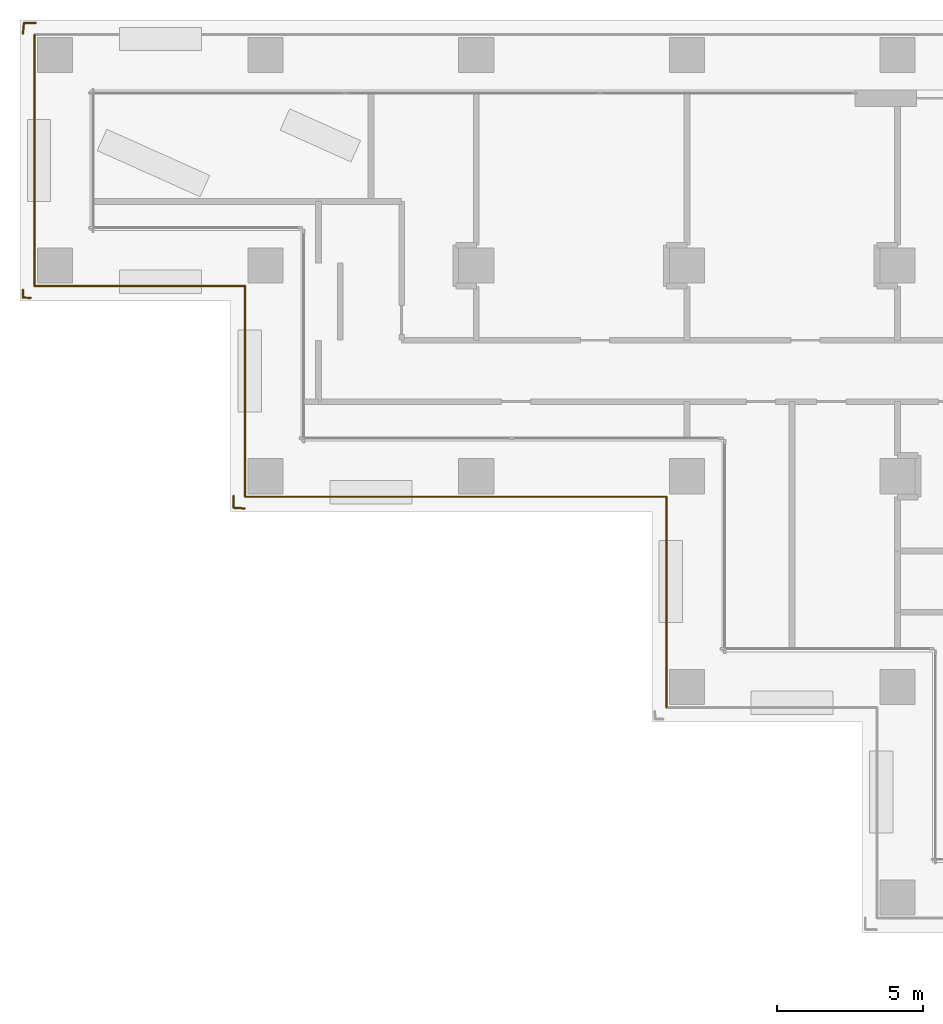
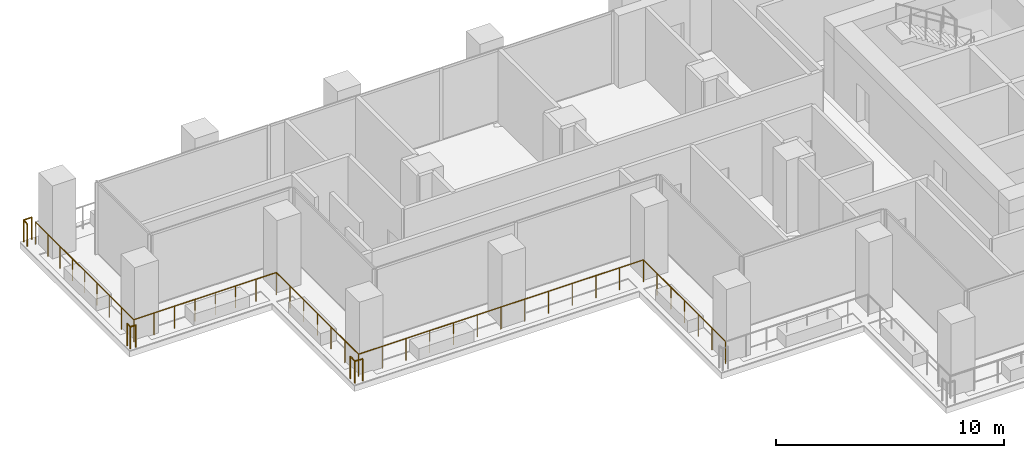
# One storey, part 18 of 24: 11 railings.
"""IFC4 building model written with IfcOpenShell, lengths in metres."""

from ifc_helpers import new_model, si_unit, direction, frame, origin, origin_2d, place, context, subcontext, project, spatial, circle, extrude, material, type_object, element, save


model = new_model("IFC4")

# Units and contexts
model_context = context("Model", 3, precision=1e-05, world=origin(), true_north=direction((0.0, 1.0)))
body_context = subcontext(model_context, "Body", "Model", "MODEL_VIEW")
ifc_project = project(units=[si_unit("LENGTHUNIT", "METRE"), si_unit("AREAUNIT", "SQUARE_METRE"), si_unit("VOLUMEUNIT", "CUBIC_METRE"), si_unit("PLANEANGLEUNIT", "RADIAN"), si_unit("MASSUNIT", "GRAM", prefix="KILO")], contexts=[model_context])

# Site, building, storey
site_placement = place(None, origin())
site = spatial("IfcSite", under=ifc_project, at=site_placement, CompositionType="ELEMENT")
building_placement = place(site_placement, origin())
building = spatial("IfcBuilding", under=site, at=building_placement, Name="Windrow Commons", CompositionType="ELEMENT")
storey_placement = place(building_placement, frame((0.0, 0.0, 77.0)))
storey = spatial("IfcBuildingStorey", under=building, at=storey_placement, Name="L20", CompositionType="ELEMENT", Elevation=77.0)

# Railings
ifc_material = material(Name="Stainless steel S316 balustrade with toughened glass infill", Category="steel")
railing_type = type_object("IfcRailingType", Name="Terrace guard 1200 podium", PredefinedType="BALUSTRADE", material=ifc_material)
railing_1_placement = place(storey_placement, frame((42.5, 49.7, 0.05)))
element("IfcRailing", 1, at=railing_1_placement, inside=storey, type_object=railing_type, Name="Guard TR-L20-1.E4", PredefinedType="BALUSTRADE", context=body_context, shape_type="SweptSolid", body=[
    extrude(circle(Radius=0.025, at=origin_2d()), frame((0.0, 0.0, 1.175), z_axis=(0.0, 1.0, 0.0), x_axis=(-1.0, 0.0, 0.0)), (0.0, 0.0, 1.0), 7.2),
    extrude(circle(Radius=0.02, at=origin_2d()), origin(), (0.0, 0.0, 1.0), 1.15),
    extrude(circle(Radius=0.02, at=origin_2d()), frame((0.0, 1.2, 0.0)), (0.0, 0.0, 1.0), 1.15),
    extrude(circle(Radius=0.02, at=origin_2d()), frame((0.0, 2.4, 0.0)), (0.0, 0.0, 1.0), 1.15),
    extrude(circle(Radius=0.02, at=origin_2d()), frame((0.0, 3.6, 0.0)), (0.0, 0.0, 1.0), 1.15),
    extrude(circle(Radius=0.02, at=origin_2d()), frame((0.0, 4.8, 0.0)), (0.0, 0.0, 1.0), 1.15),
    extrude(circle(Radius=0.02, at=origin_2d()), frame((0.0, 6.0, 0.0)), (0.0, 0.0, 1.0), 1.15),
    extrude(circle(Radius=0.02, at=origin_2d()), frame((0.0, 7.2, 0.0)), (0.0, 0.0, 1.0), 1.15),
])
railing_2_placement = place(storey_placement, frame((42.5, 56.9, 0.05)))
element("IfcRailing", 2, at=railing_2_placement, inside=storey, type_object=railing_type, Name="Guard TR-L20-1.E5", PredefinedType="BALUSTRADE", context=body_context, shape_type="SweptSolid", body=[
    extrude(circle(Radius=0.025, at=origin_2d()), frame((0.0, 0.0, 1.175), z_axis=(-1.0, 0.0, 0.0), x_axis=(0.0, -1.0, 0.0)), (0.0, 0.0, 1.0), 14.4),
    extrude(circle(Radius=0.02, at=origin_2d()), origin(), (0.0, 0.0, 1.0), 1.15),
    extrude(circle(Radius=0.02, at=origin_2d()), frame((-1.2, 0.0, 0.0)), (0.0, 0.0, 1.0), 1.15),
    extrude(circle(Radius=0.02, at=origin_2d()), frame((-2.4, 0.0, 0.0)), (0.0, 0.0, 1.0), 1.15),
    extrude(circle(Radius=0.02, at=origin_2d()), frame((-3.6, 0.0, 0.0)), (0.0, 0.0, 1.0), 1.15),
    extrude(circle(Radius=0.02, at=origin_2d()), frame((-4.8, 0.0, 0.0)), (0.0, 0.0, 1.0), 1.15),
    extrude(circle(Radius=0.02, at=origin_2d()), frame((-6.0, 0.0, 0.0)), (0.0, 0.0, 1.0), 1.15),
    extrude(circle(Radius=0.02, at=origin_2d()), frame((-7.2, 0.0, 0.0)), (0.0, 0.0, 1.0), 1.15),
    extrude(circle(Radius=0.02, at=origin_2d()), frame((-8.4, 0.0, 0.0)), (0.0, 0.0, 1.0), 1.15),
    extrude(circle(Radius=0.02, at=origin_2d()), frame((-9.6, 0.0, 0.0)), (0.0, 0.0, 1.0), 1.15),
    extrude(circle(Radius=0.02, at=origin_2d()), frame((-10.8, 0.0, 0.0)), (0.0, 0.0, 1.0), 1.15),
    extrude(circle(Radius=0.02, at=origin_2d()), frame((-12.0, 0.0, 0.0)), (0.0, 0.0, 1.0), 1.15),
    extrude(circle(Radius=0.02, at=origin_2d()), frame((-13.2, 0.0, 0.0)), (0.0, 0.0, 1.0), 1.15),
    extrude(circle(Radius=0.02, at=origin_2d()), frame((-14.4, 0.0, 0.0)), (0.0, 0.0, 1.0), 1.15),
])
railing_3_placement = place(storey_placement, frame((28.1, 56.9, 0.05)))
element("IfcRailing", 3, at=railing_3_placement, inside=storey, type_object=railing_type, Name="Guard TR-L20-1.E6", PredefinedType="BALUSTRADE", context=body_context, shape_type="SweptSolid", body=[
    extrude(circle(Radius=0.025, at=origin_2d()), frame((0.0, 0.0, 1.175), z_axis=(0.0, 1.0, 0.0), x_axis=(-1.0, 0.0, 0.0)), (0.0, 0.0, 1.0), 7.2),
    extrude(circle(Radius=0.02, at=origin_2d()), origin(), (0.0, 0.0, 1.0), 1.15),
    extrude(circle(Radius=0.02, at=origin_2d()), frame((0.0, 1.2, 0.0)), (0.0, 0.0, 1.0), 1.15),
    extrude(circle(Radius=0.02, at=origin_2d()), frame((0.0, 2.4, 0.0)), (0.0, 0.0, 1.0), 1.15),
    extrude(circle(Radius=0.02, at=origin_2d()), frame((0.0, 3.6, 0.0)), (0.0, 0.0, 1.0), 1.15),
    extrude(circle(Radius=0.02, at=origin_2d()), frame((0.0, 4.8, 0.0)), (0.0, 0.0, 1.0), 1.15),
    extrude(circle(Radius=0.02, at=origin_2d()), frame((0.0, 6.0, 0.0)), (0.0, 0.0, 1.0), 1.15),
    extrude(circle(Radius=0.02, at=origin_2d()), frame((0.0, 7.2, 0.0)), (0.0, 0.0, 1.0), 1.15),
])
railing_4_placement = place(storey_placement, frame((28.1, 64.1, 0.05)))
element("IfcRailing", 4, at=railing_4_placement, inside=storey, type_object=railing_type, Name="Guard TR-L20-1.E7", PredefinedType="BALUSTRADE", context=body_context, shape_type="SweptSolid", body=[
    extrude(circle(Radius=0.025, at=origin_2d()), frame((0.0, 0.0, 1.175), z_axis=(-1.0, 0.0, 0.0), x_axis=(0.0, -1.0, 0.0)), (0.0, 0.0, 1.0), 7.2),
    extrude(circle(Radius=0.02, at=origin_2d()), origin(), (0.0, 0.0, 1.0), 1.15),
    extrude(circle(Radius=0.02, at=origin_2d()), frame((-1.0286, 0.0, 0.0)), (0.0, 0.0, 1.0), 1.15),
    extrude(circle(Radius=0.02, at=origin_2d()), frame((-2.0571, 0.0, 0.0)), (0.0, 0.0, 1.0), 1.15),
    extrude(circle(Radius=0.02, at=origin_2d()), frame((-3.0857, 0.0, 0.0)), (0.0, 0.0, 1.0), 1.15),
    extrude(circle(Radius=0.02, at=origin_2d()), frame((-4.1143, 0.0, 0.0)), (0.0, 0.0, 1.0), 1.15),
    extrude(circle(Radius=0.02, at=origin_2d()), frame((-5.1429, 0.0, 0.0)), (0.0, 0.0, 1.0), 1.15),
    extrude(circle(Radius=0.02, at=origin_2d()), frame((-6.1714, 0.0, 0.0)), (0.0, 0.0, 1.0), 1.15),
    extrude(circle(Radius=0.02, at=origin_2d()), frame((-7.2, 0.0, 0.0)), (0.0, 0.0, 1.0), 1.15),
])
railing_5_placement = place(storey_placement, frame((20.9, 64.1, 0.05)))
element("IfcRailing", 5, at=railing_5_placement, inside=storey, type_object=railing_type, Name="Guard TR-L20-1.E8", PredefinedType="BALUSTRADE", context=body_context, shape_type="SweptSolid", body=[
    extrude(circle(Radius=0.025, at=origin_2d()), frame((0.0, 0.0, 1.175), z_axis=(0.0, 1.0, 0.0), x_axis=(-1.0, 0.0, 0.0)), (0.0, 0.0, 1.0), 8.6),
    extrude(circle(Radius=0.02, at=origin_2d()), origin(), (0.0, 0.0, 1.0), 1.15),
    extrude(circle(Radius=0.02, at=origin_2d()), frame((0.0, 1.075, 0.0)), (0.0, 0.0, 1.0), 1.15),
    extrude(circle(Radius=0.02, at=origin_2d()), frame((0.0, 2.15, 0.0)), (0.0, 0.0, 1.0), 1.15),
    extrude(circle(Radius=0.02, at=origin_2d()), frame((0.0, 3.225, 0.0)), (0.0, 0.0, 1.0), 1.15),
    extrude(circle(Radius=0.02, at=origin_2d()), frame((0.0, 4.3, 0.0)), (0.0, 0.0, 1.0), 1.15),
    extrude(circle(Radius=0.02, at=origin_2d()), frame((0.0, 5.375, 0.0)), (0.0, 0.0, 1.0), 1.15),
    extrude(circle(Radius=0.02, at=origin_2d()), frame((0.0, 6.45, 0.0)), (0.0, 0.0, 1.0), 1.15),
    extrude(circle(Radius=0.02, at=origin_2d()), frame((0.0, 7.525, 0.0)), (0.0, 0.0, 1.0), 1.15),
    extrude(circle(Radius=0.02, at=origin_2d()), frame((0.0, 8.6, 0.0)), (0.0, 0.0, 1.0), 1.15),
])
railing_6_placement = place(storey_placement, frame((20.5, 72.7364, 0.05)))
element("IfcRailing", 6, at=railing_6_placement, inside=storey, type_object=railing_type, Name="Guard TR-L20-1.C20", PredefinedType="BALUSTRADE", context=body_context, shape_type="SweptSolid", body=[
    extrude(circle(Radius=0.025, at=origin_2d()), frame((0.0, 0.0, 1.175), z_axis=(0.1001539425, 0.9949719533, 0.0), x_axis=(-0.9949719533, 0.1001539425, 0.0)), (0.0, 0.0, 1.0), 0.3654),
    extrude(circle(Radius=0.02, at=origin_2d()), origin(), (0.0, 0.0, 1.0), 1.15),
    extrude(circle(Radius=0.02, at=origin_2d()), frame((0.0366, 0.3636, 0.0)), (0.0, 0.0, 1.0), 1.15),
])
railing_7_placement = place(storey_placement, frame((20.5366, 73.1, 0.05)))
element("IfcRailing", 7, at=railing_7_placement, inside=storey, type_object=railing_type, Name="Guard TR-L20-1.C21", PredefinedType="BALUSTRADE", context=body_context, shape_type="SweptSolid", body=[
    extrude(circle(Radius=0.025, at=origin_2d()), frame((0.0, 0.0, 1.175), z_axis=(1.0, 0.0, 0.0), x_axis=(0.0, 1.0, 0.0)), (0.0, 0.0, 1.0), 0.4002),
    extrude(circle(Radius=0.02, at=origin_2d()), origin(), (0.0, 0.0, 1.0), 1.15),
    extrude(circle(Radius=0.02, at=origin_2d()), frame((0.4002, 0.0, 0.0)), (0.0, 0.0, 1.0), 1.15),
])
railing_8_placement = place(storey_placement, frame((20.7682, 63.7, 0.05)))
element("IfcRailing", 8, at=railing_8_placement, inside=storey, type_object=railing_type, Name="Guard TR-L20-1.C22", PredefinedType="BALUSTRADE", context=body_context, shape_type="SweptSolid", body=[
    extrude(circle(Radius=0.025, at=origin_2d()), frame((0.0, 0.0, 1.175), z_axis=(-0.9996692231, 0.0257185594, 0.0), x_axis=(-0.0257185594, -0.9996692231, 0.0)), (0.0, 0.0, 1.0), 0.2683),
    extrude(circle(Radius=0.02, at=origin_2d()), origin(), (0.0, 0.0, 1.0), 1.15),
    extrude(circle(Radius=0.02, at=origin_2d()), frame((-0.2682, 0.0069, 0.0)), (0.0, 0.0, 1.0), 1.15),
])
railing_9_placement = place(storey_placement, frame((20.5, 63.7069, 0.05)))
element("IfcRailing", 9, at=railing_9_placement, inside=storey, type_object=railing_type, Name="Guard TR-L20-1.C23", PredefinedType="BALUSTRADE", context=body_context, shape_type="SweptSolid", body=[
    extrude(circle(Radius=0.025, at=origin_2d()), frame((0.0, 0.0, 1.175), z_axis=(0.0, 1.0, 0.0), x_axis=(-1.0, 0.0, 0.0)), (0.0, 0.0, 1.0), 0.2752),
    extrude(circle(Radius=0.02, at=origin_2d()), origin(), (0.0, 0.0, 1.0), 1.15),
    extrude(circle(Radius=0.02, at=origin_2d()), frame((0.0, 0.2752, 0.0)), (0.0, 0.0, 1.0), 1.15),
])
railing_10_placement = place(storey_placement, frame((28.0753, 56.5, 0.05)))
element("IfcRailing", 10, at=railing_10_placement, inside=storey, type_object=railing_type, Name="Guard TR-L20-1.C24", PredefinedType="BALUSTRADE", context=body_context, shape_type="SweptSolid", body=[
    extrude(circle(Radius=0.025, at=origin_2d()), frame((0.0, 0.0, 1.175), z_axis=(-0.9977886856, 0.0664660729, 0.0), x_axis=(-0.0664660729, -0.9977886856, 0.0)), (0.0, 0.0, 1.0), 0.3761),
    extrude(circle(Radius=0.02, at=origin_2d()), origin(), (0.0, 0.0, 1.0), 1.15),
    extrude(circle(Radius=0.02, at=origin_2d()), frame((-0.3753, 0.025, 0.0)), (0.0, 0.0, 1.0), 1.15),
])
railing_11_placement = place(storey_placement, frame((27.7, 56.525, 0.05)))
element("IfcRailing", 11, at=railing_11_placement, inside=storey, type_object=railing_type, Name="Guard TR-L20-1.C25", PredefinedType="BALUSTRADE", context=body_context, shape_type="SweptSolid", body=[
    extrude(circle(Radius=0.025, at=origin_2d()), frame((0.0, 0.0, 1.175), z_axis=(0.0, 1.0, 0.0), x_axis=(-1.0, 0.0, 0.0)), (0.0, 0.0, 1.0), 0.4002),
    extrude(circle(Radius=0.02, at=origin_2d()), origin(), (0.0, 0.0, 1.0), 1.15),
    extrude(circle(Radius=0.02, at=origin_2d()), frame((0.0, 0.4002, 0.0)), (0.0, 0.0, 1.0), 1.15),
])

save(model, "model.ifc")
